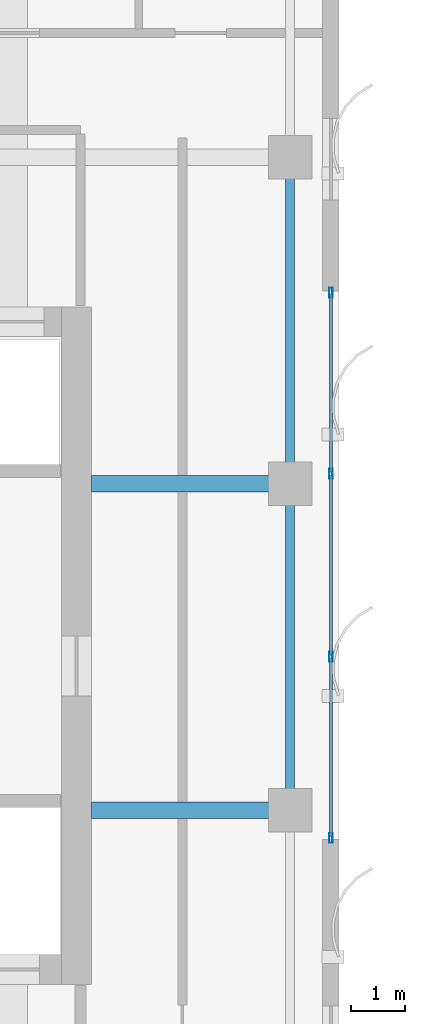
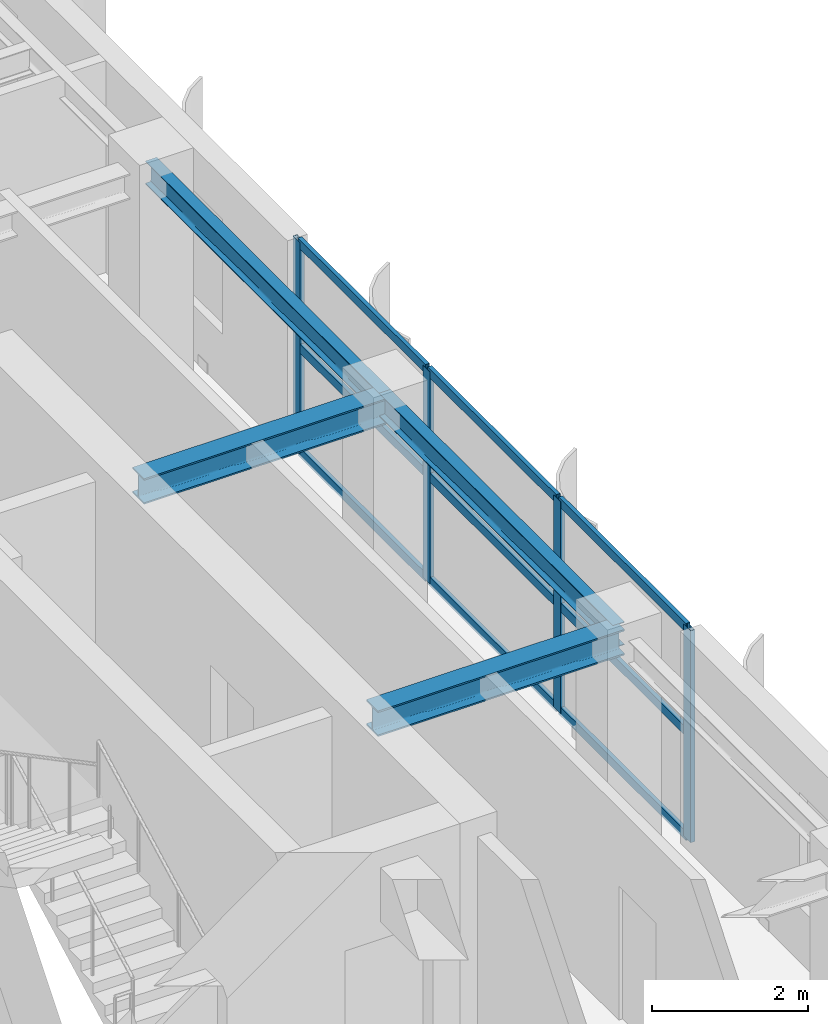
# One storey, part 12 of 23: 13 members, 4 beams, 1 element without a shape of its own.
"""IFC4 building model written with IfcOpenShell, lengths in metres."""

from ifc_helpers import new_model, si_unit, direction, frame, origin, origin_2d, place, context, subcontext, project, spatial, hollow_rectangle, i_section, extrude, source, transform, mapped, material, layer, layer_set, material_profile, profile_set, type_object, element, aggregate, save


model = new_model("IFC4")

# Units and contexts
model_context = context("Model", 3, precision=1e-05, world=origin(), true_north=direction((0.0, 1.0)))
body_context = subcontext(model_context, "Body", "Model", "MODEL_VIEW")
ifc_project = project(units=[si_unit("LENGTHUNIT", "METRE"), si_unit("AREAUNIT", "SQUARE_METRE"), si_unit("VOLUMEUNIT", "CUBIC_METRE"), si_unit("PLANEANGLEUNIT", "RADIAN"), si_unit("MASSUNIT", "GRAM", prefix="KILO")], contexts=[model_context])

# Site, building, storey
site_placement = place(None, origin())
site = spatial("IfcSite", under=ifc_project, at=site_placement, CompositionType="ELEMENT")
building_placement = place(site_placement, origin())
building = spatial("IfcBuilding", under=site, at=building_placement, Name="Khoralis Quay Care Tower", CompositionType="ELEMENT")
storey_placement = place(building_placement, frame((0.0, 0.0, 270.89990234375)))
storey = spatial("IfcBuildingStorey", under=building, at=storey_placement, Name="L71", CompositionType="ELEMENT", Elevation=270.89990234375)

# Beams
ifc_material_1 = material(Name="Steel S355", Category="steel")
ifc_material_profile_1 = material_profile(ifc_material_1, i_section(OverallWidth=0.169921875, OverallDepth=0.360107421875, WebThickness=0.008056640625, FlangeThickness=0.0126953125, FilletRadius=0.01806640625, at=origin_2d()), Name="Steel S355")
ifc_profile_set_1 = profile_set([ifc_material_profile_1], Name="Steel S355")
beam_type_1 = type_object("IfcBeamType", Name="BM-IPE360", PredefinedType="SPANDREL", material=ifc_profile_set_1)
shared_shape_1 = source(origin(), body_context, "Body", "SweptSolid", [
    extrude(i_section(OverallWidth=0.169921875, OverallDepth=0.360107421875, WebThickness=0.008056640625, FlangeThickness=0.0126953125, FilletRadius=0.01806640625, at=origin_2d()), origin(), (0.0, 0.0, 1.0), 6.0),
])
for number, where, z_axis, x_axis, name in (
    (1, (41.10009765625, 18.0, 3.14013671875), (0.0, 1.0, 0.0), (-1.0, 0.0, 0.0), "BM-TSP-L71-14"),
    (2, (41.10009765625, 24.0, 3.14013671875), (0.0, 1.0, 0.0), (-1.0, 0.0, 0.0), "BM-TSP-L71-15"),
):
    element("IfcBeam", number, at=place(storey_placement, frame(where, z_axis=z_axis, x_axis=x_axis)), inside=storey, type_object=beam_type_1, Name=name, PredefinedType="SPANDREL", context=body_context, shape_type="MappedRepresentation", body=[
        mapped(shared_shape_1, transform((0.0, 0.0, 0.0), scale=1.0)),
    ])
ifc_material_profile_2 = material_profile(ifc_material_1, i_section(OverallWidth=0.300048828125, OverallDepth=0.39990234375, WebThickness=0.013427734375, FlangeThickness=0.02392578125, FilletRadius=0.027099609375, at=origin_2d()), Name="Steel S355")
ifc_profile_set_2 = profile_set([ifc_material_profile_2], Name="Steel S355")
beam_type_2 = type_object("IfcBeamType", Name="BM-HEB400", PredefinedType="BEAM", material=ifc_profile_set_2)
shared_shape_2 = source(origin(), body_context, "Body", "SweptSolid", [
    extrude(i_section(OverallWidth=0.300048828125, OverallDepth=0.39990234375, WebThickness=0.013427734375, FlangeThickness=0.02392578125, FilletRadius=0.027099609375, at=origin_2d()), origin(), (0.0, 0.0, 1.0), 3.652099609375),
])
for number, where, z_axis, x_axis, name in (
    (3, (37.447998046875, 18.0, 3.1201171875), (1.0, 0.0, 0.0), (0.0, 1.0, 0.0), "BM-TGXE-L71-180"),
    (4, (37.447998046875, 24.0, 3.1201171875), (1.0, 0.0, 0.0), (0.0, 1.0, 0.0), "BM-TGXE-L71-240"),
):
    element("IfcBeam", number, at=place(storey_placement, frame(where, z_axis=z_axis, x_axis=x_axis)), inside=storey, type_object=beam_type_2, Name=name, PredefinedType="BEAM", context=body_context, shape_type="MappedRepresentation", body=[
        mapped(shared_shape_2, transform((0.0, 0.0, 0.0), scale=1.0)),
    ])

# Curtain wall, members
ifc_material_2 = material(Name="Pale anodised aluminium", Category="aluminium")
ifc_layer = layer(ifc_material_2, 0.159912109375)
ifc_layer_set = layer_set([ifc_layer], Name="Pale anodised aluminium")
curtain_wall_type = type_object("IfcCurtainWallType", Name="CW-SYS-Z3", PredefinedType="NOTDEFINED", material=ifc_layer_set)
curtain_wall_placement = place(storey_placement, origin())
curtain_wall = element("IfcCurtainWall", 5, at=curtain_wall_placement, inside=storey, type_object=curtain_wall_type, Name="L71 Unitised Curtain Wall CW-L71-P1-E5", PredefinedType="NOTDEFINED")
ifc_material_profile_3 = material_profile(ifc_material_2, hollow_rectangle(XDim=0.06494140625, YDim=0.179931640625, WallThickness=0.00390625, at=origin_2d()), Name="Pale anodised aluminium")
ifc_profile_set_3 = profile_set([ifc_material_profile_3], Name="Pale anodised aluminium")
member_type_1 = type_object("IfcMemberType", Name="CW-MUL-180", PredefinedType="MULLION", material=ifc_profile_set_3)
shared_shape_3 = source(origin(), body_context, "Body", "SweptSolid", [
    extrude(hollow_rectangle(XDim=0.06494140625, YDim=0.179931640625, WallThickness=0.00390625, at=origin_2d()), origin(), (0.0, 0.0, 1.0), 3.320068359375),
])
member_1_placement = place(storey_placement, frame((41.85009765625, 17.489990234375, 0.0), z_axis=(0.0, 0.0, 1.0), x_axis=(-1.0, 0.0, 0.0)))
member_1 = element("IfcMember", 6, at=member_1_placement, type_object=member_type_1, Name="CW3 mullion 1", PredefinedType="MULLION", context=body_context, shape_type="MappedRepresentation", body=[
    mapped(shared_shape_3, transform((0.0, 0.0, 0.0), scale=1.0)),
])
member_2_placement = place(storey_placement, frame((41.85009765625, 20.820068359375, 0.0), z_axis=(0.0, 0.0, 1.0), x_axis=(-1.0, 0.0, 0.0)))
member_2 = element("IfcMember", 7, at=member_2_placement, type_object=member_type_1, Name="CW3 mullion 2", PredefinedType="MULLION", context=body_context, shape_type="MappedRepresentation", body=[
    mapped(shared_shape_3, transform((0.0, 0.0, 0.0), scale=1.0)),
])
member_3_placement = place(storey_placement, frame((41.85009765625, 24.179931640625, 0.0), z_axis=(0.0, 0.0, 1.0), x_axis=(-1.0, 0.0, 0.0)))
member_3 = element("IfcMember", 8, at=member_3_placement, type_object=member_type_1, Name="CW3 mullion 3", PredefinedType="MULLION", context=body_context, shape_type="MappedRepresentation", body=[
    mapped(shared_shape_3, transform((0.0, 0.0, 0.0), scale=1.0)),
])
member_4_placement = place(storey_placement, frame((41.85009765625, 27.510009765625, 0.0), z_axis=(0.0, 0.0, 1.0), x_axis=(-1.0, 0.0, 0.0)))
member_4 = element("IfcMember", 9, at=member_4_placement, type_object=member_type_1, Name="CW3 mullion 4", PredefinedType="MULLION", context=body_context, shape_type="MappedRepresentation", body=[
    mapped(shared_shape_3, transform((0.0, 0.0, 0.0), scale=1.0)),
])
ifc_material_profile_4 = material_profile(ifc_material_2, hollow_rectangle(XDim=0.06005859375, YDim=0.139892578125, WallThickness=0.00390625, at=origin_2d()), Name="Pale anodised aluminium")
ifc_profile_set_4 = profile_set([ifc_material_profile_4], Name="Pale anodised aluminium")
member_type_2 = type_object("IfcMemberType", Name="CW-TRN-140", PredefinedType="USERDEFINED", material=ifc_profile_set_4)
shared_shape_4 = source(origin(), body_context, "Body", "SweptSolid", [
    extrude(hollow_rectangle(XDim=0.06005859375, YDim=0.139892578125, WallThickness=0.00390625, at=origin_2d()), origin(), (0.0, 0.0, 1.0), 3.27001953125),
])
member_5_placement = place(storey_placement, frame((41.85009765625, 17.52001953125, 0.030029296875), z_axis=(0.0, 1.0, 0.0), x_axis=(-1.0, 0.0, 0.0)))
member_5 = element("IfcMember", 10, at=member_5_placement, type_object=member_type_2, Name="CW3 transom 1.1", ObjectType="TRANSOM", PredefinedType="USERDEFINED", context=body_context, shape_type="MappedRepresentation", body=[
    mapped(shared_shape_4, transform((0.0, 0.0, 0.0), scale=1.0)),
])
member_6_placement = place(storey_placement, frame((41.85009765625, 17.52001953125, 1.66015625), z_axis=(0.0, 1.0, 0.0), x_axis=(-1.0, 0.0, 0.0)))
member_6 = element("IfcMember", 11, at=member_6_placement, type_object=member_type_2, Name="CW3 transom 1.2", ObjectType="TRANSOM", PredefinedType="USERDEFINED", context=body_context, shape_type="MappedRepresentation", body=[
    mapped(shared_shape_4, transform((0.0, 0.0, 0.0), scale=1.0)),
])
member_7_placement = place(storey_placement, frame((41.85009765625, 17.52001953125, 3.2900390625), z_axis=(0.0, 1.0, 0.0), x_axis=(-1.0, 0.0, 0.0)))
member_7 = element("IfcMember", 12, at=member_7_placement, type_object=member_type_2, Name="CW3 transom 1.3", ObjectType="TRANSOM", PredefinedType="USERDEFINED", context=body_context, shape_type="MappedRepresentation", body=[
    mapped(shared_shape_4, transform((0.0, 0.0, 0.0), scale=1.0)),
])
member_8_placement = place(storey_placement, frame((41.85009765625, 24.2099609375, 0.030029296875), z_axis=(0.0, 1.0, 0.0), x_axis=(-1.0, 0.0, 0.0)))
member_8 = element("IfcMember", 13, at=member_8_placement, type_object=member_type_2, Name="CW3 transom 3.1", ObjectType="TRANSOM", PredefinedType="USERDEFINED", context=body_context, shape_type="MappedRepresentation", body=[
    mapped(shared_shape_4, transform((0.0, 0.0, 0.0), scale=1.0)),
])
member_9_placement = place(storey_placement, frame((41.85009765625, 24.2099609375, 1.66015625), z_axis=(0.0, 1.0, 0.0), x_axis=(-1.0, 0.0, 0.0)))
member_9 = element("IfcMember", 14, at=member_9_placement, type_object=member_type_2, Name="CW3 transom 3.2", ObjectType="TRANSOM", PredefinedType="USERDEFINED", context=body_context, shape_type="MappedRepresentation", body=[
    mapped(shared_shape_4, transform((0.0, 0.0, 0.0), scale=1.0)),
])
member_10_placement = place(storey_placement, frame((41.85009765625, 24.2099609375, 3.2900390625), z_axis=(0.0, 1.0, 0.0), x_axis=(-1.0, 0.0, 0.0)))
member_10 = element("IfcMember", 15, at=member_10_placement, type_object=member_type_2, Name="CW3 transom 3.3", ObjectType="TRANSOM", PredefinedType="USERDEFINED", context=body_context, shape_type="MappedRepresentation", body=[
    mapped(shared_shape_4, transform((0.0, 0.0, 0.0), scale=1.0)),
])
shared_shape_5 = source(origin(), body_context, "Body", "SweptSolid", [
    extrude(hollow_rectangle(XDim=0.06005859375, YDim=0.139892578125, WallThickness=0.00390625, at=origin_2d()), origin(), (0.0, 0.0, 1.0), 3.2998046875),
])
member_11_placement = place(storey_placement, frame((41.85009765625, 20.85009765625, 0.030029296875), z_axis=(0.0, 1.0, 0.0), x_axis=(-1.0, 0.0, 0.0)))
member_11 = element("IfcMember", 16, at=member_11_placement, type_object=member_type_2, Name="CW3 transom 2.1", ObjectType="TRANSOM", PredefinedType="USERDEFINED", context=body_context, shape_type="MappedRepresentation", body=[
    mapped(shared_shape_5, transform((0.0, 0.0, 0.0), scale=1.0)),
])
member_12_placement = place(storey_placement, frame((41.85009765625, 20.85009765625, 1.66015625), z_axis=(0.0, 1.0, 0.0), x_axis=(-1.0, 0.0, 0.0)))
member_12 = element("IfcMember", 17, at=member_12_placement, type_object=member_type_2, Name="CW3 transom 2.2", ObjectType="TRANSOM", PredefinedType="USERDEFINED", context=body_context, shape_type="MappedRepresentation", body=[
    mapped(shared_shape_5, transform((0.0, 0.0, 0.0), scale=1.0)),
])
member_13_placement = place(storey_placement, frame((41.85009765625, 20.85009765625, 3.2900390625), z_axis=(0.0, 1.0, 0.0), x_axis=(-1.0, 0.0, 0.0)))
member_13 = element("IfcMember", 18, at=member_13_placement, type_object=member_type_2, Name="CW3 transom 2.3", ObjectType="TRANSOM", PredefinedType="USERDEFINED", context=body_context, shape_type="MappedRepresentation", body=[
    mapped(shared_shape_5, transform((0.0, 0.0, 0.0), scale=1.0)),
])
aggregate(curtain_wall, [member_1, member_2, member_3, member_4, member_5, member_6, member_7, member_11, member_12, member_13, member_8, member_9, member_10])

save(model, "model.ifc")
